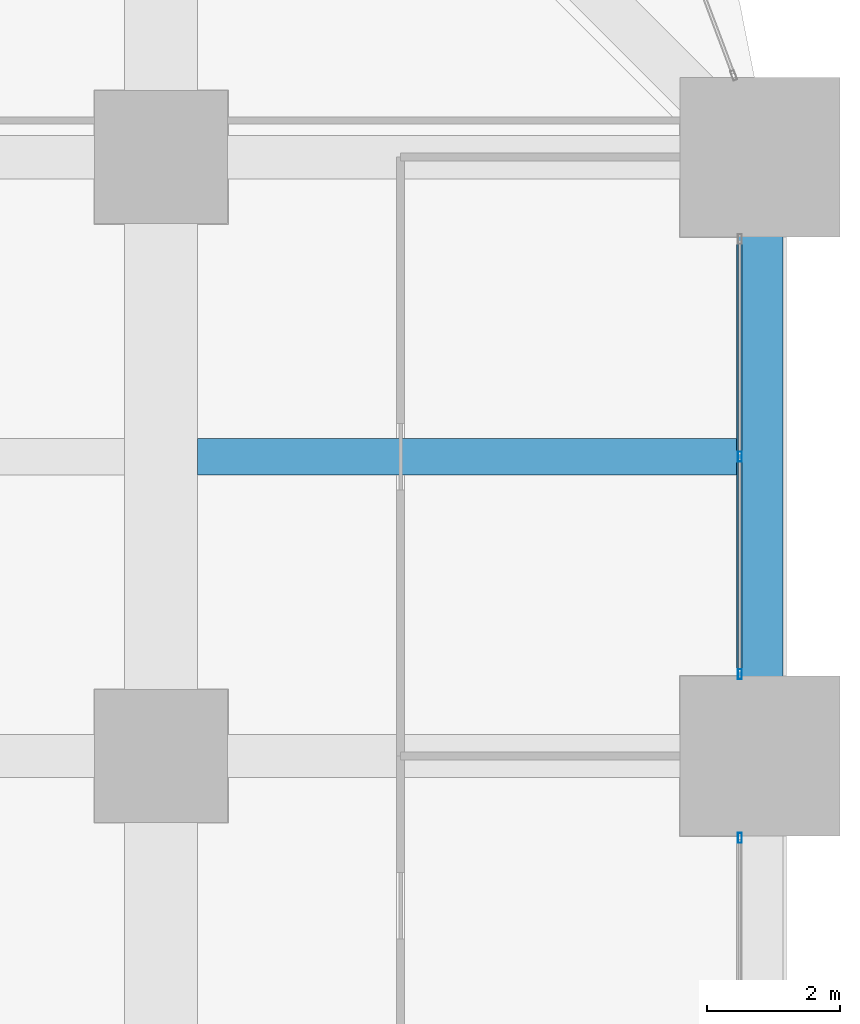
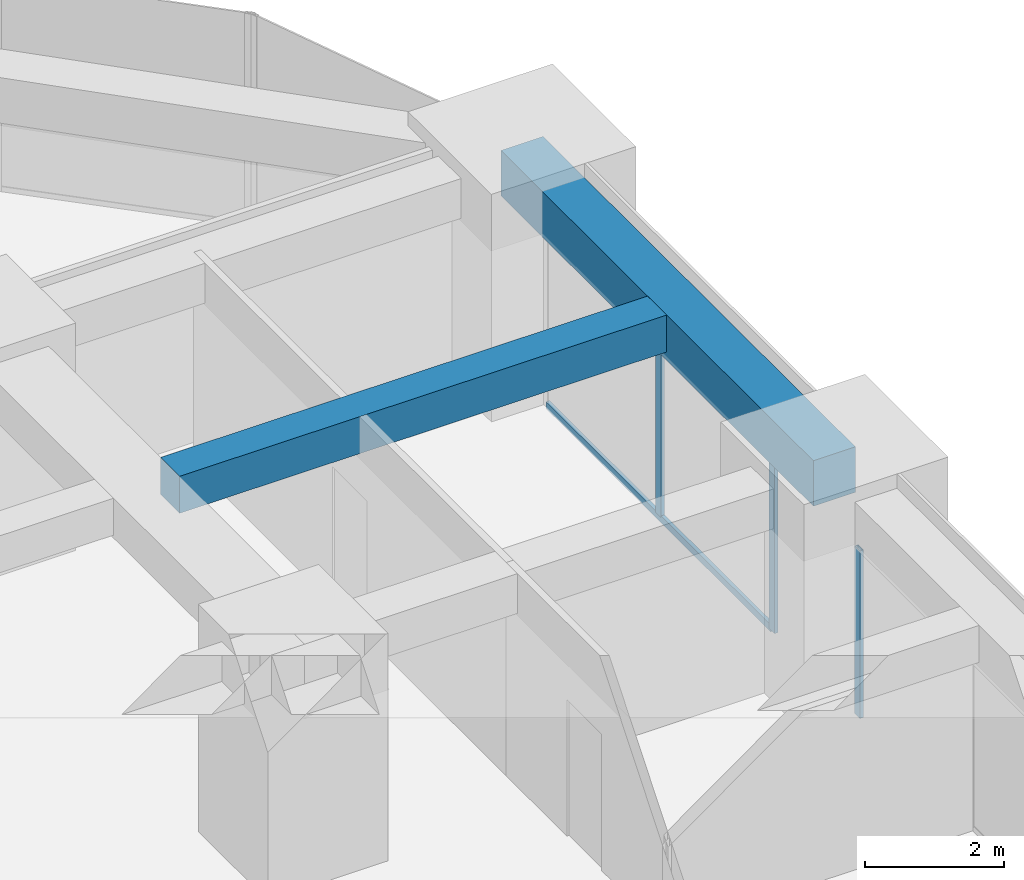
# One storey, part 23 of 41: 4 members, 2 beams, 2 elements without a shape of their own.
"""IFC4 building model written with IfcOpenShell, lengths in metres."""

from ifc_helpers import new_model, si_unit, direction, frame, origin, origin_2d, place, context, subcontext, project, spatial, rectangle, hollow_rectangle, extrude, material, material_profile, profile_set, type_object, element, aggregate, save


model = new_model("IFC4")

# Units and contexts
model_context = context("Model", 3, precision=1e-05, world=origin(), true_north=direction((0.0, 1.0)))
body_context = subcontext(model_context, "Body", "Model", "MODEL_VIEW")
ifc_project = project(units=[si_unit("LENGTHUNIT", "METRE"), si_unit("AREAUNIT", "SQUARE_METRE"), si_unit("VOLUMEUNIT", "CUBIC_METRE"), si_unit("PLANEANGLEUNIT", "RADIAN"), si_unit("MASSUNIT", "GRAM", prefix="KILO")], contexts=[model_context])

# Site, building, storey
site_placement = place(None, origin())
site = spatial("IfcSite", under=ifc_project, at=site_placement, CompositionType="ELEMENT")
building_placement = place(site_placement, origin())
building = spatial("IfcBuilding", under=site, at=building_placement, Name="Zorevar Civic Tower", CompositionType="ELEMENT")
storey_placement = place(building_placement, frame((0.0, 0.0, 109.0)))
storey = spatial("IfcBuildingStorey", under=building, at=storey_placement, Name="L26", CompositionType="ELEMENT", Elevation=109.0)

# Beam
ifc_material_1 = material(Name="Concrete C50/60", Category="concrete")
ifc_material_profile_1 = material_profile(ifc_material_1, rectangle(XDim=0.550048828125, YDim=0.64990234375, at=origin_2d()), Name="RC 550x650")
ifc_profile_set_1 = profile_set([ifc_material_profile_1], Name="Concrete C50/60")
beam_type_1 = type_object("IfcBeamType", Name="Beam RC 550x650", PredefinedType="BEAM", material=ifc_profile_set_1)
beam_1_placement = place(storey_placement, frame((54.550048828125, 31.5, 3.425048828125), z_axis=(1.0, 0.0, 0.0), x_axis=(0.0, 1.0, 0.0)))
element("IfcBeam", 1, at=beam_1_placement, inside=storey, type_object=beam_type_1, Name="Secondary beam L27", PredefinedType="BEAM", context=body_context, shape_type="SweptSolid", body=[
    extrude(rectangle(XDim=0.550048828125, YDim=0.64990234375, at=origin_2d()), origin(), (0.0, 0.0, 1.0), 8.099853515625),
])

# Curtain wall, member
ifc_material_2 = material(Name="Dark grey solar-control glass in black aluminium frame", Category="aluminium")
curtain_wall_type = type_object("IfcCurtainWallType", Name="Curtain wall CW3 mid zone", PredefinedType="NOTDEFINED", material=ifc_material_2)
curtain_wall_1_placement = place(storey_placement, origin())
curtain_wall_1 = element("IfcCurtainWall", 2, at=curtain_wall_1_placement, inside=storey, type_object=curtain_wall_type, Name="CW3 L26", PredefinedType="NOTDEFINED")
ifc_material_3 = material(Name="Aluminium, black anodised", Category="aluminium")
ifc_material_profile_2 = material_profile(ifc_material_3, hollow_rectangle(XDim=0.06005859375, YDim=0.14990234375, WallThickness=0.00390625, at=origin_2d()), Name="AL 150x60x4")
ifc_profile_set_2 = profile_set([ifc_material_profile_2], Name="Aluminium, black anodised")
member_type_1 = type_object("IfcMemberType", Name="CW3 mullion AL 150x60x4", PredefinedType="MULLION", material=ifc_profile_set_2)
member_1_placement = place(storey_placement, frame((62.699951171875, 25.77001953125, 0.0), z_axis=(0.0, 0.0, 1.0), x_axis=(-1.0, 0.0, 0.0)))
member_1 = element("IfcMember", 3, at=member_1_placement, type_object=member_type_1, Name="CW3 mullion 3", PredefinedType="MULLION", context=body_context, shape_type="SweptSolid", body=[
    extrude(hollow_rectangle(XDim=0.06005859375, YDim=0.14990234375, WallThickness=0.00390625, at=origin_2d()), origin(), (0.0, 0.0, 1.0), 2.949951171875),
])
aggregate(curtain_wall_1, [member_1])

# Curtain wall, members
curtain_wall_2_placement = place(storey_placement, origin())
curtain_wall_2 = element("IfcCurtainWall", 4, at=curtain_wall_2_placement, inside=storey, type_object=curtain_wall_type, Name="CW3 L26", PredefinedType="NOTDEFINED")
member_2_placement = place(storey_placement, frame((62.699951171875, 28.22998046875, 0.0), z_axis=(0.0, 0.0, 1.0), x_axis=(-1.0, 0.0, 0.0)))
member_2 = element("IfcMember", 5, at=member_2_placement, type_object=member_type_1, Name="CW3 mullion 1", PredefinedType="MULLION", context=body_context, shape_type="SweptSolid", body=[
    extrude(hollow_rectangle(XDim=0.06005859375, YDim=0.14990234375, WallThickness=0.00390625, at=origin_2d()), origin(), (0.0, 0.0, 1.0), 2.949951171875),
])
member_3_placement = place(storey_placement, frame((62.699951171875, 31.5, 0.06005859375), z_axis=(0.0, 0.0, 1.0), x_axis=(-1.0, 0.0, 0.0)))
member_3 = element("IfcMember", 6, at=member_3_placement, type_object=member_type_1, Name="CW3 mullion 2", PredefinedType="MULLION", context=body_context, shape_type="SweptSolid", body=[
    extrude(hollow_rectangle(XDim=0.06005859375, YDim=0.14990234375, WallThickness=0.00390625, at=origin_2d()), origin(), (0.0, 0.0, 1.0), 2.889892578125),
])
ifc_material_4 = material(Name="Aluminium, black anodised", Category="aluminium")
ifc_material_profile_3 = material_profile(ifc_material_4, hollow_rectangle(XDim=0.06005859375, YDim=0.1201171875, WallThickness=0.0029296875, at=origin_2d()), Name="AL 120x60x3")
ifc_profile_set_3 = profile_set([ifc_material_profile_3], Name="Aluminium, black anodised")
member_type_2 = type_object("IfcMemberType", Name="CW3 transom AL 120x60x3", PredefinedType="USERDEFINED", material=ifc_profile_set_3)
member_4_placement = place(storey_placement, frame((62.699951171875, 28.260009765625, 0.030029296875), z_axis=(0.0, 1.0, 0.0), x_axis=(-1.0, 0.0, 0.0)))
member_4 = element("IfcMember", 7, at=member_4_placement, type_object=member_type_2, Name="CW3 sill transom", ObjectType="TRANSOM", PredefinedType="USERDEFINED", context=body_context, shape_type="SweptSolid", body=[
    extrude(hollow_rectangle(XDim=0.06005859375, YDim=0.1201171875, WallThickness=0.0029296875, at=origin_2d()), origin(), (0.0, 0.0, 1.0), 6.47998046875),
])
aggregate(curtain_wall_2, [member_2, member_3, member_4])

# Beam
ifc_material_5 = material(Name="Concrete C50/60", Category="concrete")
ifc_material_profile_4 = material_profile(ifc_material_5, rectangle(XDim=0.699951171875, YDim=0.800048828125, at=origin_2d()), Name="RC 700x800")
ifc_profile_set_4 = profile_set([ifc_material_profile_4], Name="Concrete C50/60")
beam_type_2 = type_object("IfcBeamType", Name="Edge beam RC 700x800", PredefinedType="SPANDREL", material=ifc_profile_set_4)
beam_2_placement = place(storey_placement, frame((63.0, 27.0, 3.35009765625), z_axis=(0.0, 1.0, 0.0), x_axis=(-1.0, 0.0, 0.0)))
element("IfcBeam", 8, at=beam_2_placement, inside=storey, type_object=beam_type_2, Name="Edge beam L27", PredefinedType="SPANDREL", context=body_context, shape_type="SweptSolid", body=[
    extrude(rectangle(XDim=0.699951171875, YDim=0.800048828125, at=origin_2d()), origin(), (0.0, 0.0, 1.0), 9.0),
])

save(model, "model.ifc")
